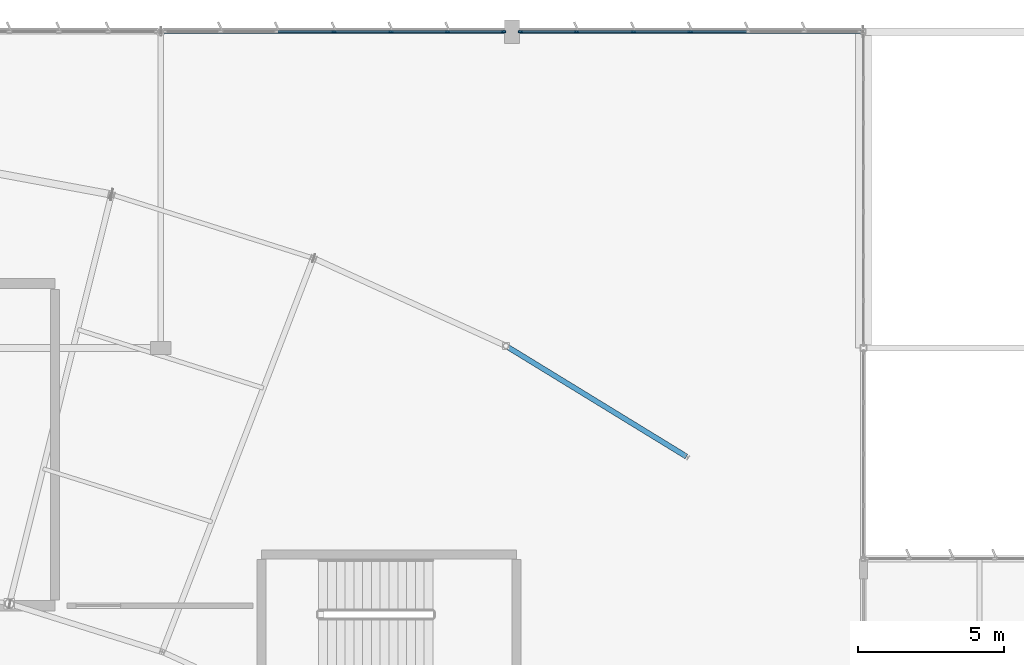
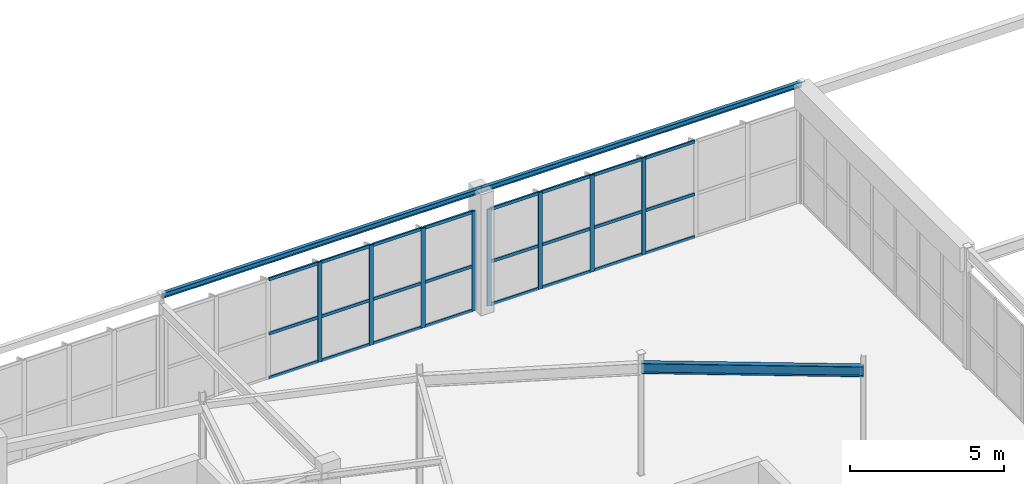
# One storey, part 83 of 186: 32 members, 3 beams, 2 elements without a shape of their own.
"""IFC4 building model written with IfcOpenShell, lengths in metres."""

from ifc_helpers import new_model, si_unit, direction, frame, origin, origin_2d, place, context, subcontext, project, spatial, rectangle, i_section, extrude, material, layer, layer_set, material_profile, profile_set, type_object, element, aggregate, save


model = new_model("IFC4")

# Units and contexts
model_context = context("Model", 3, precision=1e-05, world=origin(), true_north=direction((0.0, 1.0)))
body_context = subcontext(model_context, "Body", "Model", "MODEL_VIEW")
ifc_project = project(units=[si_unit("LENGTHUNIT", "METRE"), si_unit("AREAUNIT", "SQUARE_METRE"), si_unit("VOLUMEUNIT", "CUBIC_METRE"), si_unit("PLANEANGLEUNIT", "RADIAN"), si_unit("MASSUNIT", "GRAM", prefix="KILO")], contexts=[model_context])

# Site, building, storey
site_placement = place(None, origin())
site = spatial("IfcSite", under=ifc_project, at=site_placement, CompositionType="ELEMENT")
building_placement = place(site_placement, origin())
building = spatial("IfcBuilding", under=site, at=building_placement, Name="Tarnwether General Hospital", CompositionType="ELEMENT")
storey_placement = place(building_placement, frame((0.0, 0.0, 9.60009765625)))
storey = spatial("IfcBuildingStorey", under=building, at=storey_placement, Name="L02", CompositionType="ELEMENT", Elevation=9.60009765625)

# Beams
ifc_material_1 = material(Name="Steel Grade 350 (350 MPa)", Category="steel")
ifc_material_profile_1 = material_profile(ifc_material_1, i_section(OverallWidth=0.177978515625, OverallDepth=0.403076171875, WebThickness=0.007568359375, FlangeThickness=0.010986328125, at=origin_2d()), Name="410UB53.7")
ifc_profile_set_1 = profile_set([ifc_material_profile_1], Name="Steel Grade 350 (350 MPa)")
beam_type_1 = type_object("IfcBeamType", Name="BM-SP2", PredefinedType="SPANDREL", material=ifc_profile_set_1)
beam_1_placement = place(storey_placement, frame((119.79296875, 115.27001953125, 4.228515625), z_axis=(0.852678430503, -0.522436114902, 0.0), x_axis=(0.522436114902, 0.852678430503, 0.0)))
element("IfcBeam", 1, at=beam_1_placement, inside=storey, type_object=beam_type_1, Name="Curved Ward NW Outer Spandrel BMG-L02-11979_11527-12596_11149-1915", PredefinedType="SPANDREL", context=body_context, shape_type="SweptSolid", body=[
    extrude(i_section(OverallWidth=0.177978515625, OverallDepth=0.403076171875, WebThickness=0.007568359375, FlangeThickness=0.010986328125, at=origin_2d()), origin(), (0.0, 0.0, 1.0), 7.22802734375),
])
ifc_material_2 = material(Name="Steel Grade 350 (350 MPa)", Category="steel")
ifc_material_profile_2 = material_profile(ifc_material_2, i_section(OverallWidth=0.133056640625, OverallDepth=0.202880859375, WebThickness=0.005859375, FlangeThickness=0.0078125, at=origin_2d()), Name="200UB25.4")
ifc_profile_set_2 = profile_set([ifc_material_profile_2], Name="Steel Grade 350 (350 MPa)")
beam_type_2 = type_object("IfcBeamType", Name="BM-SP5", PredefinedType="SPANDREL", material=ifc_profile_set_2)
beam_2_placement = place(storey_placement, frame((108.0, 126.0, 4.698486328125), z_axis=(1.0, 0.0, 0.0), x_axis=(0.0, 1.0, 0.0)))
element("IfcBeam", 2, at=beam_2_placement, inside=storey, type_object=beam_type_2, Name="Primary Girder BMG-L02-10800_12600-12000_12600-1540", PredefinedType="SPANDREL", context=body_context, shape_type="SweptSolid", body=[
    extrude(i_section(OverallWidth=0.133056640625, OverallDepth=0.202880859375, WebThickness=0.005859375, FlangeThickness=0.0078125, at=origin_2d()), origin(), (0.0, 0.0, 1.0), 12.0),
])
ifc_material_3 = material(Name="Steel Grade 350 (350 MPa)", Category="steel")
ifc_material_profile_3 = material_profile(ifc_material_3, i_section(OverallWidth=0.133056640625, OverallDepth=0.201904296875, WebThickness=0.0048828125, FlangeThickness=0.007080078125, at=origin_2d()), Name="200UB22.3")
ifc_profile_set_3 = profile_set([ifc_material_profile_3], Name="Steel Grade 350 (350 MPa)")
beam_type_3 = type_object("IfcBeamType", Name="BM-SP6", PredefinedType="SPANDREL", material=ifc_profile_set_3)
beam_3_placement = place(storey_placement, frame((120.0, 126.0, 4.698974609375), z_axis=(1.0, 0.0, 0.0), x_axis=(0.0, 1.0, 0.0)))
element("IfcBeam", 3, at=beam_3_placement, inside=storey, type_object=beam_type_3, Name="Primary Girder BMG-L02-12000_12600-13200_12600-1548", PredefinedType="SPANDREL", context=body_context, shape_type="SweptSolid", body=[
    extrude(i_section(OverallWidth=0.133056640625, OverallDepth=0.201904296875, WebThickness=0.0048828125, FlangeThickness=0.007080078125, at=origin_2d()), origin(), (0.0, 0.0, 1.0), 12.0),
])

# Curtain wall, members
ifc_material_4 = material(Name="Anodised aluminium", Category="aluminium")
ifc_layer = layer(ifc_material_4, 0.159912109375)
ifc_layer_set = layer_set([ifc_layer], Name="Anodised aluminium")
curtain_wall_type = type_object("IfcCurtainWallType", Name="CW-17", PredefinedType="NOTDEFINED", material=ifc_layer_set)
curtain_wall_1_placement = place(storey_placement, origin())
curtain_wall_1 = element("IfcCurtainWall", 4, at=curtain_wall_1_placement, inside=storey, type_object=curtain_wall_type, Name="Curtain Wall CWG-L02-1081_1260-0407", PredefinedType="NOTDEFINED")
ifc_material_5 = material(Name="Anodised aluminium", Category="aluminium")
ifc_material_profile_4 = material_profile(ifc_material_5, rectangle(XDim=0.06005859375, YDim=0.159912109375, at=origin_2d()), Name="ALU-MUL-60x160")
ifc_profile_set_4 = profile_set([ifc_material_profile_4], Name="Anodised aluminium")
member_type_1 = type_object("IfcMemberType", Name="CW-ML1", PredefinedType="MULLION", material=ifc_profile_set_4)
member_1_placement = place(storey_placement, frame((113.923583984375, 126.0, 0.0), z_axis=(0.0, 0.0, 1.0), x_axis=(0.0, 1.0, 0.0)))
member_1 = element("IfcMember", 5, at=member_1_placement, type_object=member_type_1, Name="CW-17 mullion 4", PredefinedType="MULLION", context=body_context, shape_type="SweptSolid", body=[
    extrude(rectangle(XDim=0.06005859375, YDim=0.159912109375, at=origin_2d()), origin(), (0.0, 0.0, 1.0), 3.9580078125),
])
member_2_placement = place(storey_placement, frame((115.863037109375, 126.0, 0.0), z_axis=(0.0, 0.0, 1.0), x_axis=(0.0, 1.0, 0.0)))
member_2 = element("IfcMember", 6, at=member_2_placement, type_object=member_type_1, Name="CW-17 mullion 5", PredefinedType="MULLION", context=body_context, shape_type="SweptSolid", body=[
    extrude(rectangle(XDim=0.06005859375, YDim=0.159912109375, at=origin_2d()), origin(), (0.0, 0.0, 1.0), 3.9580078125),
])
member_3_placement = place(storey_placement, frame((117.802490234375, 126.0, 0.0), z_axis=(0.0, 0.0, 1.0), x_axis=(0.0, 1.0, 0.0)))
member_3 = element("IfcMember", 7, at=member_3_placement, type_object=member_type_1, Name="CW-17 mullion 6", PredefinedType="MULLION", context=body_context, shape_type="SweptSolid", body=[
    extrude(rectangle(XDim=0.06005859375, YDim=0.159912109375, at=origin_2d()), origin(), (0.0, 0.0, 1.0), 3.9580078125),
])
member_4_placement = place(storey_placement, frame((119.7119140625, 126.0, 0.0), z_axis=(0.0, 0.0, 1.0), x_axis=(0.0, 1.0, 0.0)))
member_4 = element("IfcMember", 8, at=member_4_placement, type_object=member_type_1, Name="CW-17 mullion 7", PredefinedType="MULLION", context=body_context, shape_type="SweptSolid", body=[
    extrude(rectangle(XDim=0.06005859375, YDim=0.159912109375, at=origin_2d()), origin(), (0.0, 0.0, 1.0), 3.9580078125),
])

curtain_wall_2_placement = place(storey_placement, origin())
curtain_wall_2 = element("IfcCurtainWall", 9, at=curtain_wall_2_placement, inside=storey, type_object=curtain_wall_type, Name="Curtain Wall CWG-L02-1203_1260-0408", PredefinedType="NOTDEFINED")
member_5_placement = place(storey_placement, frame((120.2880859375, 126.0, 0.0), z_axis=(0.0, 0.0, 1.0), x_axis=(0.0, 1.0, 0.0)))
member_5 = element("IfcMember", 10, at=member_5_placement, type_object=member_type_1, Name="CW-17 mullion 1", PredefinedType="MULLION", context=body_context, shape_type="SweptSolid", body=[
    extrude(rectangle(XDim=0.06005859375, YDim=0.159912109375, at=origin_2d()), origin(), (0.0, 0.0, 1.0), 3.8349609375),
])
member_6_placement = place(storey_placement, frame((122.201171875, 126.0, 0.0), z_axis=(0.0, 0.0, 1.0), x_axis=(0.0, 1.0, 0.0)))
member_6 = element("IfcMember", 11, at=member_6_placement, type_object=member_type_1, Name="CW-17 mullion 2", PredefinedType="MULLION", context=body_context, shape_type="SweptSolid", body=[
    extrude(rectangle(XDim=0.06005859375, YDim=0.159912109375, at=origin_2d()), origin(), (0.0, 0.0, 1.0), 3.8349609375),
])
member_7_placement = place(storey_placement, frame((124.144287109375, 126.0, 0.0), z_axis=(0.0, 0.0, 1.0), x_axis=(0.0, 1.0, 0.0)))
member_7 = element("IfcMember", 12, at=member_7_placement, type_object=member_type_1, Name="CW-17 mullion 3", PredefinedType="MULLION", context=body_context, shape_type="SweptSolid", body=[
    extrude(rectangle(XDim=0.06005859375, YDim=0.159912109375, at=origin_2d()), origin(), (0.0, 0.0, 1.0), 3.8349609375),
])
member_8_placement = place(storey_placement, frame((126.08740234375, 126.0, 0.0), z_axis=(0.0, 0.0, 1.0), x_axis=(0.0, 1.0, 0.0)))
member_8 = element("IfcMember", 13, at=member_8_placement, type_object=member_type_1, Name="CW-17 mullion 4", PredefinedType="MULLION", context=body_context, shape_type="SweptSolid", body=[
    extrude(rectangle(XDim=0.06005859375, YDim=0.159912109375, at=origin_2d()), origin(), (0.0, 0.0, 1.0), 3.8349609375),
])

# Member
ifc_material_6 = material(Name="Anodised aluminium", Category="aluminium")
ifc_material_profile_5 = material_profile(ifc_material_6, rectangle(XDim=0.06005859375, YDim=0.1201171875, at=origin_2d()), Name="ALU-TRN-60x120")
ifc_profile_set_5 = profile_set([ifc_material_profile_5], Name="Anodised aluminium")
member_type_2 = type_object("IfcMemberType", Name="CW-TR1", PredefinedType="USERDEFINED", material=ifc_profile_set_5)
member_9_placement = place(storey_placement, frame((112.013916015625, 126.0, 0.02978515625), z_axis=(1.0, 0.0, 0.0), x_axis=(0.0, 1.0, 0.0)))
member_9 = element("IfcMember", 14, at=member_9_placement, type_object=member_type_2, Name="CW-17 transom 3.1", ObjectType="TRANSOM", PredefinedType="USERDEFINED", context=body_context, shape_type="SweptSolid", body=[
    extrude(rectangle(XDim=0.06005859375, YDim=0.1201171875, at=origin_2d()), origin(), (0.0, 0.0, 1.0), 1.879638671875),
])

member_10_placement = place(storey_placement, frame((112.013916015625, 126.0, 1.781005859375), z_axis=(1.0, 0.0, 0.0), x_axis=(0.0, 1.0, 0.0)))
member_10 = element("IfcMember", 15, at=member_10_placement, type_object=member_type_2, Name="CW-17 transom 3.2", ObjectType="TRANSOM", PredefinedType="USERDEFINED", context=body_context, shape_type="SweptSolid", body=[
    extrude(rectangle(XDim=0.06005859375, YDim=0.1201171875, at=origin_2d()), origin(), (0.0, 0.0, 1.0), 1.879638671875),
])

member_11_placement = place(storey_placement, frame((112.013916015625, 126.0, 3.927978515625), z_axis=(1.0, 0.0, 0.0), x_axis=(0.0, 1.0, 0.0)))
member_11 = element("IfcMember", 16, at=member_11_placement, type_object=member_type_2, Name="CW-17 transom 3.3", ObjectType="TRANSOM", PredefinedType="USERDEFINED", context=body_context, shape_type="SweptSolid", body=[
    extrude(rectangle(XDim=0.06005859375, YDim=0.1201171875, at=origin_2d()), origin(), (0.0, 0.0, 1.0), 1.879638671875),
])

member_12_placement = place(storey_placement, frame((113.95361328125, 126.0, 0.02978515625), z_axis=(1.0, 0.0, 0.0), x_axis=(0.0, 1.0, 0.0)))
member_12 = element("IfcMember", 17, at=member_12_placement, type_object=member_type_2, Name="CW-17 transom 4.1", ObjectType="TRANSOM", PredefinedType="USERDEFINED", context=body_context, shape_type="SweptSolid", body=[
    extrude(rectangle(XDim=0.06005859375, YDim=0.1201171875, at=origin_2d()), origin(), (0.0, 0.0, 1.0), 1.87939453125),
])

member_13_placement = place(storey_placement, frame((113.95361328125, 126.0, 1.781005859375), z_axis=(1.0, 0.0, 0.0), x_axis=(0.0, 1.0, 0.0)))
member_13 = element("IfcMember", 18, at=member_13_placement, type_object=member_type_2, Name="CW-17 transom 4.2", ObjectType="TRANSOM", PredefinedType="USERDEFINED", context=body_context, shape_type="SweptSolid", body=[
    extrude(rectangle(XDim=0.06005859375, YDim=0.1201171875, at=origin_2d()), origin(), (0.0, 0.0, 1.0), 1.87939453125),
])

member_14_placement = place(storey_placement, frame((113.95361328125, 126.0, 3.927978515625), z_axis=(1.0, 0.0, 0.0), x_axis=(0.0, 1.0, 0.0)))
member_14 = element("IfcMember", 19, at=member_14_placement, type_object=member_type_2, Name="CW-17 transom 4.3", ObjectType="TRANSOM", PredefinedType="USERDEFINED", context=body_context, shape_type="SweptSolid", body=[
    extrude(rectangle(XDim=0.06005859375, YDim=0.1201171875, at=origin_2d()), origin(), (0.0, 0.0, 1.0), 1.87939453125),
])

member_15_placement = place(storey_placement, frame((115.89306640625, 126.0, 0.02978515625), z_axis=(1.0, 0.0, 0.0), x_axis=(0.0, 1.0, 0.0)))
member_15 = element("IfcMember", 20, at=member_15_placement, type_object=member_type_2, Name="CW-17 transom 5.1", ObjectType="TRANSOM", PredefinedType="USERDEFINED", context=body_context, shape_type="SweptSolid", body=[
    extrude(rectangle(XDim=0.06005859375, YDim=0.1201171875, at=origin_2d()), origin(), (0.0, 0.0, 1.0), 1.87939453125),
])

member_16_placement = place(storey_placement, frame((115.89306640625, 126.0, 1.781005859375), z_axis=(1.0, 0.0, 0.0), x_axis=(0.0, 1.0, 0.0)))
member_16 = element("IfcMember", 21, at=member_16_placement, type_object=member_type_2, Name="CW-17 transom 5.2", ObjectType="TRANSOM", PredefinedType="USERDEFINED", context=body_context, shape_type="SweptSolid", body=[
    extrude(rectangle(XDim=0.06005859375, YDim=0.1201171875, at=origin_2d()), origin(), (0.0, 0.0, 1.0), 1.87939453125),
])

member_17_placement = place(storey_placement, frame((115.89306640625, 126.0, 3.927978515625), z_axis=(1.0, 0.0, 0.0), x_axis=(0.0, 1.0, 0.0)))
member_17 = element("IfcMember", 22, at=member_17_placement, type_object=member_type_2, Name="CW-17 transom 5.3", ObjectType="TRANSOM", PredefinedType="USERDEFINED", context=body_context, shape_type="SweptSolid", body=[
    extrude(rectangle(XDim=0.06005859375, YDim=0.1201171875, at=origin_2d()), origin(), (0.0, 0.0, 1.0), 1.87939453125),
])

member_18_placement = place(storey_placement, frame((117.83251953125, 126.0, 0.02978515625), z_axis=(1.0, 0.0, 0.0), x_axis=(0.0, 1.0, 0.0)))
member_18 = element("IfcMember", 23, at=member_18_placement, type_object=member_type_2, Name="CW-17 transom 6.1", ObjectType="TRANSOM", PredefinedType="USERDEFINED", context=body_context, shape_type="SweptSolid", body=[
    extrude(rectangle(XDim=0.06005859375, YDim=0.1201171875, at=origin_2d()), origin(), (0.0, 0.0, 1.0), 1.849365234375),
])

member_19_placement = place(storey_placement, frame((117.83251953125, 126.0, 1.781005859375), z_axis=(1.0, 0.0, 0.0), x_axis=(0.0, 1.0, 0.0)))
member_19 = element("IfcMember", 24, at=member_19_placement, type_object=member_type_2, Name="CW-17 transom 6.2", ObjectType="TRANSOM", PredefinedType="USERDEFINED", context=body_context, shape_type="SweptSolid", body=[
    extrude(rectangle(XDim=0.06005859375, YDim=0.1201171875, at=origin_2d()), origin(), (0.0, 0.0, 1.0), 1.849365234375),
])

member_20_placement = place(storey_placement, frame((117.83251953125, 126.0, 3.927978515625), z_axis=(1.0, 0.0, 0.0), x_axis=(0.0, 1.0, 0.0)))
member_20 = element("IfcMember", 25, at=member_20_placement, type_object=member_type_2, Name="CW-17 transom 6.3", ObjectType="TRANSOM", PredefinedType="USERDEFINED", context=body_context, shape_type="SweptSolid", body=[
    extrude(rectangle(XDim=0.06005859375, YDim=0.1201171875, at=origin_2d()), origin(), (0.0, 0.0, 1.0), 1.849365234375),
])

aggregate(curtain_wall_1, [member_1, member_2, member_3, member_4, member_9, member_10, member_11, member_12, member_13, member_14, member_15, member_16, member_17, member_18, member_19, member_20])

member_21_placement = place(storey_placement, frame((120.318115234375, 126.0, 0.02978515625), z_axis=(1.0, 0.0, 0.0), x_axis=(0.0, 1.0, 0.0)))
member_21 = element("IfcMember", 26, at=member_21_placement, type_object=member_type_2, Name="CW-17 transom 1.1", ObjectType="TRANSOM", PredefinedType="USERDEFINED", context=body_context, shape_type="SweptSolid", body=[
    extrude(rectangle(XDim=0.06005859375, YDim=0.1201171875, at=origin_2d()), origin(), (0.0, 0.0, 1.0), 1.85302734375),
])

member_22_placement = place(storey_placement, frame((120.318115234375, 126.0, 1.7255859375), z_axis=(1.0, 0.0, 0.0), x_axis=(0.0, 1.0, 0.0)))
member_22 = element("IfcMember", 27, at=member_22_placement, type_object=member_type_2, Name="CW-17 transom 1.2", ObjectType="TRANSOM", PredefinedType="USERDEFINED", context=body_context, shape_type="SweptSolid", body=[
    extrude(rectangle(XDim=0.06005859375, YDim=0.1201171875, at=origin_2d()), origin(), (0.0, 0.0, 1.0), 1.85302734375),
])

member_23_placement = place(storey_placement, frame((120.318115234375, 126.0, 3.804931640625), z_axis=(1.0, 0.0, 0.0), x_axis=(0.0, 1.0, 0.0)))
member_23 = element("IfcMember", 28, at=member_23_placement, type_object=member_type_2, Name="CW-17 transom 1.3", ObjectType="TRANSOM", PredefinedType="USERDEFINED", context=body_context, shape_type="SweptSolid", body=[
    extrude(rectangle(XDim=0.06005859375, YDim=0.1201171875, at=origin_2d()), origin(), (0.0, 0.0, 1.0), 1.85302734375),
])

member_24_placement = place(storey_placement, frame((122.231201171875, 126.0, 0.02978515625), z_axis=(1.0, 0.0, 0.0), x_axis=(0.0, 1.0, 0.0)))
member_24 = element("IfcMember", 29, at=member_24_placement, type_object=member_type_2, Name="CW-17 transom 2.1", ObjectType="TRANSOM", PredefinedType="USERDEFINED", context=body_context, shape_type="SweptSolid", body=[
    extrude(rectangle(XDim=0.06005859375, YDim=0.1201171875, at=origin_2d()), origin(), (0.0, 0.0, 1.0), 1.883056640625),
])

member_25_placement = place(storey_placement, frame((122.231201171875, 126.0, 1.7255859375), z_axis=(1.0, 0.0, 0.0), x_axis=(0.0, 1.0, 0.0)))
member_25 = element("IfcMember", 30, at=member_25_placement, type_object=member_type_2, Name="CW-17 transom 2.2", ObjectType="TRANSOM", PredefinedType="USERDEFINED", context=body_context, shape_type="SweptSolid", body=[
    extrude(rectangle(XDim=0.06005859375, YDim=0.1201171875, at=origin_2d()), origin(), (0.0, 0.0, 1.0), 1.883056640625),
])

member_26_placement = place(storey_placement, frame((122.231201171875, 126.0, 3.804931640625), z_axis=(1.0, 0.0, 0.0), x_axis=(0.0, 1.0, 0.0)))
member_26 = element("IfcMember", 31, at=member_26_placement, type_object=member_type_2, Name="CW-17 transom 2.3", ObjectType="TRANSOM", PredefinedType="USERDEFINED", context=body_context, shape_type="SweptSolid", body=[
    extrude(rectangle(XDim=0.06005859375, YDim=0.1201171875, at=origin_2d()), origin(), (0.0, 0.0, 1.0), 1.883056640625),
])

member_27_placement = place(storey_placement, frame((124.17431640625, 126.0, 0.02978515625), z_axis=(1.0, 0.0, 0.0), x_axis=(0.0, 1.0, 0.0)))
member_27 = element("IfcMember", 32, at=member_27_placement, type_object=member_type_2, Name="CW-17 transom 3.1", ObjectType="TRANSOM", PredefinedType="USERDEFINED", context=body_context, shape_type="SweptSolid", body=[
    extrude(rectangle(XDim=0.06005859375, YDim=0.1201171875, at=origin_2d()), origin(), (0.0, 0.0, 1.0), 1.88330078125),
])

member_28_placement = place(storey_placement, frame((124.17431640625, 126.0, 1.7255859375), z_axis=(1.0, 0.0, 0.0), x_axis=(0.0, 1.0, 0.0)))
member_28 = element("IfcMember", 33, at=member_28_placement, type_object=member_type_2, Name="CW-17 transom 3.2", ObjectType="TRANSOM", PredefinedType="USERDEFINED", context=body_context, shape_type="SweptSolid", body=[
    extrude(rectangle(XDim=0.06005859375, YDim=0.1201171875, at=origin_2d()), origin(), (0.0, 0.0, 1.0), 1.88330078125),
])

member_29_placement = place(storey_placement, frame((124.17431640625, 126.0, 3.804931640625), z_axis=(1.0, 0.0, 0.0), x_axis=(0.0, 1.0, 0.0)))
member_29 = element("IfcMember", 34, at=member_29_placement, type_object=member_type_2, Name="CW-17 transom 3.3", ObjectType="TRANSOM", PredefinedType="USERDEFINED", context=body_context, shape_type="SweptSolid", body=[
    extrude(rectangle(XDim=0.06005859375, YDim=0.1201171875, at=origin_2d()), origin(), (0.0, 0.0, 1.0), 1.88330078125),
])

member_30_placement = place(storey_placement, frame((126.117431640625, 126.0, 0.02978515625), z_axis=(1.0, 0.0, 0.0), x_axis=(0.0, 1.0, 0.0)))
member_30 = element("IfcMember", 35, at=member_30_placement, type_object=member_type_2, Name="CW-17 transom 4.1", ObjectType="TRANSOM", PredefinedType="USERDEFINED", context=body_context, shape_type="SweptSolid", body=[
    extrude(rectangle(XDim=0.06005859375, YDim=0.1201171875, at=origin_2d()), origin(), (0.0, 0.0, 1.0), 1.88330078125),
])

member_31_placement = place(storey_placement, frame((126.117431640625, 126.0, 1.7255859375), z_axis=(1.0, 0.0, 0.0), x_axis=(0.0, 1.0, 0.0)))
member_31 = element("IfcMember", 36, at=member_31_placement, type_object=member_type_2, Name="CW-17 transom 4.2", ObjectType="TRANSOM", PredefinedType="USERDEFINED", context=body_context, shape_type="SweptSolid", body=[
    extrude(rectangle(XDim=0.06005859375, YDim=0.1201171875, at=origin_2d()), origin(), (0.0, 0.0, 1.0), 1.88330078125),
])

member_32_placement = place(storey_placement, frame((126.117431640625, 126.0, 3.804931640625), z_axis=(1.0, 0.0, 0.0), x_axis=(0.0, 1.0, 0.0)))
member_32 = element("IfcMember", 37, at=member_32_placement, type_object=member_type_2, Name="CW-17 transom 4.3", ObjectType="TRANSOM", PredefinedType="USERDEFINED", context=body_context, shape_type="SweptSolid", body=[
    extrude(rectangle(XDim=0.06005859375, YDim=0.1201171875, at=origin_2d()), origin(), (0.0, 0.0, 1.0), 1.88330078125),
])

aggregate(curtain_wall_2, [member_5, member_6, member_7, member_8, member_21, member_22, member_23, member_24, member_25, member_26, member_27, member_28, member_29, member_30, member_31, member_32])

save(model, "model.ifc")
